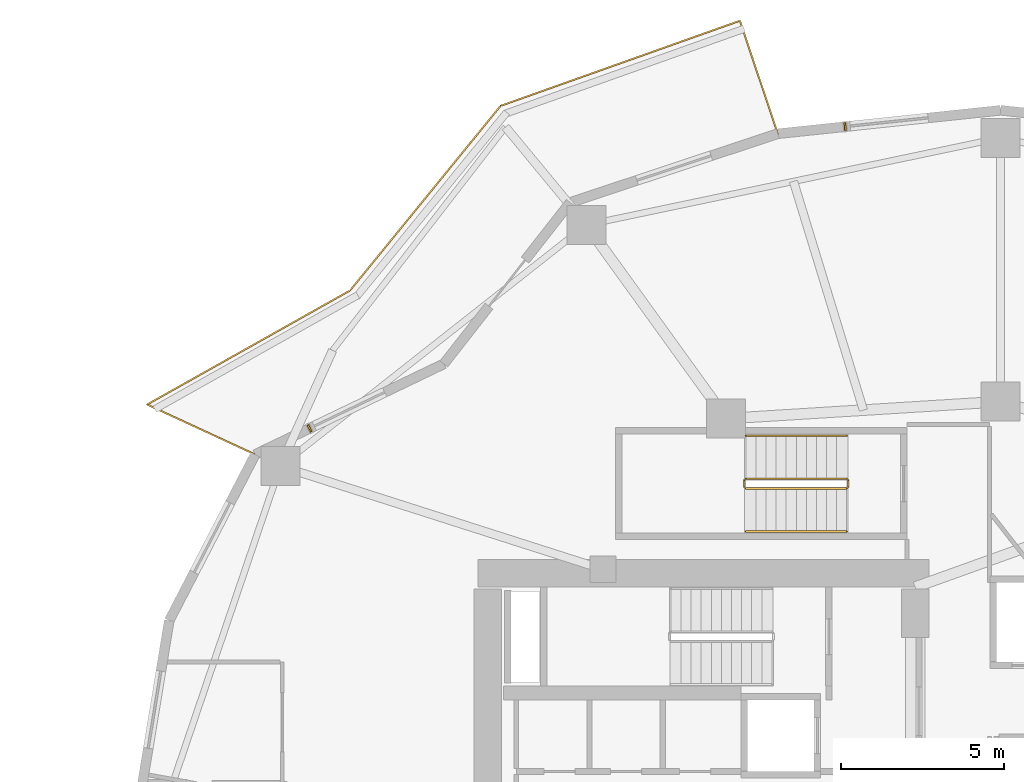
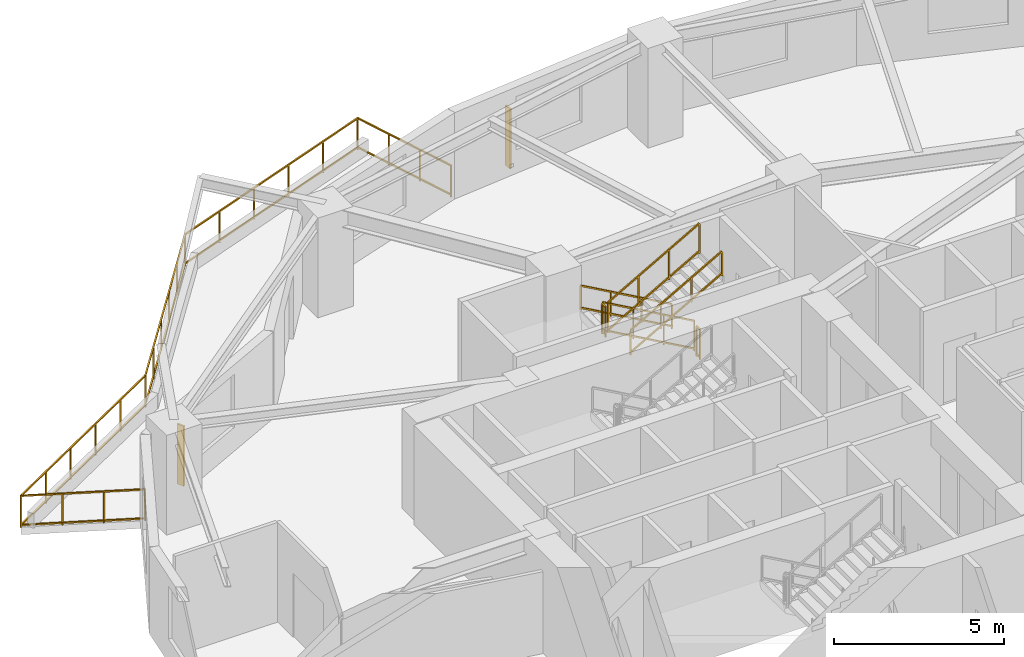
# One storey, part 15 of 16: 7 railings, 2 shading devices.
"""IFC4 building model written with IfcOpenShell, lengths in metres."""

from ifc_helpers import new_model, si_unit, direction, frame, origin, origin_2d, place, context, subcontext, project, spatial, rectangle, extrude, material, type_object, element, save


model = new_model("IFC4")

# Units and contexts
model_context = context("Model", 3, precision=1e-05, world=origin(), true_north=direction((0.0, 1.0)))
body_context = subcontext(model_context, "Body", "Model", "MODEL_VIEW")
ifc_project = project(units=[si_unit("LENGTHUNIT", "METRE"), si_unit("AREAUNIT", "SQUARE_METRE"), si_unit("VOLUMEUNIT", "CUBIC_METRE"), si_unit("PLANEANGLEUNIT", "RADIAN"), si_unit("MASSUNIT", "GRAM", prefix="KILO")], contexts=[model_context])

# Site, building, storey
site_placement = place(None, origin())
site = spatial("IfcSite", under=ifc_project, at=site_placement, CompositionType="ELEMENT")
building_placement = place(site_placement, origin())
building = spatial("IfcBuilding", under=site, at=building_placement, Name="Kolvaren Gate Tower and Convention Centre", CompositionType="ELEMENT")
storey_placement = place(building_placement, frame((0.0, 0.0, 65.0)))
storey = spatial("IfcBuildingStorey", under=building, at=storey_placement, Name="L15", CompositionType="ELEMENT", Elevation=65.0)

# Railings
ifc_material_1 = material(Name="Brushed Stainless Steel Grade 316L", Category="steel")
railing_type_1 = type_object("IfcRailingType", Name="ARCH-RL-GUARD-1150", PredefinedType="GUARDRAIL", material=ifc_material_1)
railing_1_placement = place(storey_placement, frame((25.39990234375, 36.830078125, 0.175048828125)))
element("IfcRailing", 1, at=railing_1_placement, inside=storey, type_object=railing_type_1, Name="L15 ST-T3 stair guard 1", PredefinedType="GUARDRAIL", context=body_context, shape_type="SweptSolid", body=[
    extrude(rectangle(XDim=0.048095703125, YDim=0.048095703125, at=origin_2d()), frame((0.0, 0.0, 1.076171875), z_axis=(-0.870814364268, 0.0, 0.491611984175), x_axis=(0.0, -1.0, 0.0)), (0.0, 0.0, 1.0), 3.559814453125),
    extrude(rectangle(XDim=0.048095703125, YDim=0.048095703125, at=origin_2d()), frame((0.0, 0.0, 0.083984375), z_axis=(-0.870814364268, 0.0, 0.491611984175), x_axis=(0.0, -1.0, 0.0)), (0.0, 0.0, 1.0), 3.559814453125),
    extrude(rectangle(XDim=0.0419921875, YDim=0.0419921875, at=origin_2d()), origin(), (0.0, 0.0, 1.0), 1.050048828125),
    extrude(rectangle(XDim=0.0419921875, YDim=0.0419921875, at=origin_2d()), frame((-3.099853515625, 0.0, 1.75)), (0.0, 0.0, 1.0), 1.050048828125),
    extrude(rectangle(XDim=0.0419921875, YDim=0.0419921875, at=origin_2d()), frame((-1.033203125, 0.0, 0.583251953125)), (0.0, 0.0, 1.0), 1.050048828125),
    extrude(rectangle(XDim=0.0419921875, YDim=0.0419921875, at=origin_2d()), frame((-2.066650390625, 0.0, 1.166748046875)), (0.0, 0.0, 1.0), 1.050048828125),
])
railing_2_placement = place(storey_placement, frame((22.25, 36.780029296875, 1.925048828125)))
element("IfcRailing", 2, at=railing_2_placement, inside=storey, type_object=railing_type_1, Name="L15 ST-T3 stair guard 2", PredefinedType="GUARDRAIL", context=body_context, shape_type="SweptSolid", body=[
    extrude(rectangle(XDim=0.048095703125, YDim=0.048095703125, at=origin_2d()), frame((0.0, 0.0, 1.076171875), z_axis=(0.0, -1.0, 0.0), x_axis=(1.0, 0.0, 0.0)), (0.0, 0.0, 1.0), 0.199951171875),
    extrude(rectangle(XDim=0.048095703125, YDim=0.048095703125, at=origin_2d()), frame((0.0, 0.0, 0.083984375), z_axis=(0.0, -1.0, 0.0), x_axis=(1.0, 0.0, 0.0)), (0.0, 0.0, 1.0), 0.199951171875),
    extrude(rectangle(XDim=0.0419921875, YDim=0.0419921875, at=origin_2d()), origin(), (0.0, 0.0, 1.0), 1.050048828125),
    extrude(rectangle(XDim=0.0419921875, YDim=0.0419921875, at=origin_2d()), frame((0.0, -0.199951171875, 0.0)), (0.0, 0.0, 1.0), 1.050048828125),
])
railing_3_placement = place(storey_placement, frame((22.300048828125, 36.530029296875, 2.10009765625)))
element("IfcRailing", 3, at=railing_3_placement, inside=storey, type_object=railing_type_1, Name="L15 ST-T3 stair guard 3", PredefinedType="GUARDRAIL", context=body_context, shape_type="SweptSolid", body=[
    extrude(rectangle(XDim=0.048095703125, YDim=0.048095703125, at=origin_2d()), frame((0.0, 0.0, 1.076171875), z_axis=(0.870814364268, 0.0, 0.491611984175), x_axis=(0.0, 1.0, 0.0)), (0.0, 0.0, 1.0), 3.559814453125),
    extrude(rectangle(XDim=0.048095703125, YDim=0.048095703125, at=origin_2d()), frame((0.0, 0.0, 0.083984375), z_axis=(0.870814364268, 0.0, 0.491611984175), x_axis=(0.0, 1.0, 0.0)), (0.0, 0.0, 1.0), 3.559814453125),
    extrude(rectangle(XDim=0.0419921875, YDim=0.0419921875, at=origin_2d()), origin(), (0.0, 0.0, 1.0), 1.050048828125),
    extrude(rectangle(XDim=0.0419921875, YDim=0.0419921875, at=origin_2d()), frame((3.099853515625, 0.0, 1.75)), (0.0, 0.0, 1.0), 1.050048828125),
    extrude(rectangle(XDim=0.0419921875, YDim=0.0419921875, at=origin_2d()), frame((1.033203125, 0.0, 0.583251953125)), (0.0, 0.0, 1.0), 1.050048828125),
    extrude(rectangle(XDim=0.0419921875, YDim=0.0419921875, at=origin_2d()), frame((2.066650390625, 0.0, 1.166748046875)), (0.0, 0.0, 1.0), 1.050048828125),
])
railing_4_placement = place(storey_placement, frame((25.449951171875, 36.780029296875, 0.0)))
element("IfcRailing", 4, at=railing_4_placement, inside=storey, type_object=railing_type_1, Name="L15 ST-T3 stair guard 4", PredefinedType="GUARDRAIL", context=body_context, shape_type="SweptSolid", body=[
    extrude(rectangle(XDim=0.048095703125, YDim=0.048095703125, at=origin_2d()), frame((0.0, 0.0, 1.076171875), z_axis=(0.0, -1.0, 0.0), x_axis=(1.0, 0.0, 0.0)), (0.0, 0.0, 1.0), 0.199951171875),
    extrude(rectangle(XDim=0.048095703125, YDim=0.048095703125, at=origin_2d()), frame((0.0, 0.0, 0.083984375), z_axis=(0.0, -1.0, 0.0), x_axis=(1.0, 0.0, 0.0)), (0.0, 0.0, 1.0), 0.199951171875),
    extrude(rectangle(XDim=0.0419921875, YDim=0.0419921875, at=origin_2d()), origin(), (0.0, 0.0, 1.0), 1.050048828125),
    extrude(rectangle(XDim=0.0419921875, YDim=0.0419921875, at=origin_2d()), frame((0.0, -0.199951171875, 0.0)), (0.0, 0.0, 1.0), 1.050048828125),
])
railing_5_placement = place(storey_placement, frame((23.282470703125, 47.42919921875, 0.0)))
element("IfcRailing", 5, at=railing_5_placement, inside=storey, type_object=railing_type_1, Name="Tower L15 Terrace Perimeter Guardrail GR-1", PredefinedType="GUARDRAIL", context=body_context, shape_type="SweptSolid", body=[
    extrude(rectangle(XDim=0.048095703125, YDim=0.048095703125, at=origin_2d()), frame((-0.0087890625, 0.026611328125, 1.1259765625), z_axis=(-0.317568160167, 0.94823544737, 0.0), x_axis=(-0.94823544737, -0.317568160167, 0.0)), (0.0, 0.0, 1.0), 3.60400390625),
    extrude(rectangle(XDim=0.048095703125, YDim=0.048095703125, at=origin_2d()), frame((-0.0087890625, 0.026611328125, 0.083984375), z_axis=(-0.317568160167, 0.94823544737, 0.0), x_axis=(-0.94823544737, -0.317568160167, 0.0)), (0.0, 0.0, 1.0), 3.60400390625),
    extrude(rectangle(XDim=0.048095703125, YDim=0.048095703125, at=origin_2d()), frame((-1.188720703125, 3.46142578125, 1.1259765625), z_axis=(-0.942200211781, -0.335050385643, 0.0), x_axis=(0.335050385643, -0.942200211781, 0.0)), (0.0, 0.0, 1.0), 7.7509765625),
    extrude(rectangle(XDim=0.048095703125, YDim=0.048095703125, at=origin_2d()), frame((-1.188720703125, 3.46142578125, 0.083984375), z_axis=(-0.942200211781, -0.335050385643, 0.0), x_axis=(0.335050385643, -0.942200211781, 0.0)), (0.0, 0.0, 1.0), 7.7509765625),
    extrude(rectangle(XDim=0.048095703125, YDim=0.048095703125, at=origin_2d()), frame((-8.535888671875, 0.833251953125, 1.1259765625), z_axis=(-0.631819273026, -0.775115737315, 0.0), x_axis=(0.775115737315, -0.631819273026, 0.0)), (0.0, 0.0, 1.0), 7.259765625),
    extrude(rectangle(XDim=0.048095703125, YDim=0.048095703125, at=origin_2d()), frame((-8.535888671875, 0.833251953125, 0.083984375), z_axis=(-0.631819273026, -0.775115737315, 0.0), x_axis=(0.775115737315, -0.631819273026, 0.0)), (0.0, 0.0, 1.0), 7.259765625),
    extrude(rectangle(XDim=0.048095703125, YDim=0.048095703125, at=origin_2d()), frame((-13.164794921875, -4.829345703125, 1.1259765625), z_axis=(-0.871783301661, -0.489891697159, 0.0), x_axis=(0.489891697159, -0.871783301661, 0.0)), (0.0, 0.0, 1.0), 7.096435546875),
    extrude(rectangle(XDim=0.048095703125, YDim=0.048095703125, at=origin_2d()), frame((-13.164794921875, -4.829345703125, 0.083984375), z_axis=(-0.871783301661, -0.489891697159, 0.0), x_axis=(0.489891697159, -0.871783301661, 0.0)), (0.0, 0.0, 1.0), 7.096435546875),
    extrude(rectangle(XDim=0.048095703125, YDim=0.048095703125, at=origin_2d()), frame((-19.350341796875, -8.331298828125, 1.1259765625), z_axis=(0.907846116663, -0.419303503993, 0.0), x_axis=(0.419303503993, 0.907846116663, 0.0)), (0.0, 0.0, 1.0), 3.60400390625),
    extrude(rectangle(XDim=0.048095703125, YDim=0.048095703125, at=origin_2d()), frame((-19.350341796875, -8.331298828125, 0.083984375), z_axis=(0.907846116663, -0.419303503993, 0.0), x_axis=(0.419303503993, 0.907846116663, 0.0)), (0.0, 0.0, 1.0), 3.60400390625),
    extrude(rectangle(XDim=0.0419921875, YDim=0.0419921875, at=origin_2d()), origin(), (0.0, 0.0, 1.0), 1.14990234375),
    extrude(rectangle(XDim=0.0419921875, YDim=0.0419921875, at=origin_2d()), frame((-1.162353515625, 3.470703125, 0.0)), (0.0, 0.0, 1.0), 1.14990234375),
    extrude(rectangle(XDim=0.0419921875, YDim=0.0419921875, at=origin_2d()), frame((-0.387451171875, 1.156982421875, 0.0)), (0.0, 0.0, 1.0), 1.099853515625),
    extrude(rectangle(XDim=0.0419921875, YDim=0.0419921875, at=origin_2d()), frame((-0.77490234375, 2.313720703125, 0.0)), (0.0, 0.0, 1.0), 1.099853515625),
    extrude(rectangle(XDim=0.0419921875, YDim=0.0419921875, at=origin_2d()), frame((-8.51806640625, 0.85498046875, 0.0)), (0.0, 0.0, 1.0), 1.14990234375),
    extrude(rectangle(XDim=0.0419921875, YDim=0.0419921875, at=origin_2d()), frame((-2.633544921875, 2.947509765625, 0.0)), (0.0, 0.0, 1.0), 1.099853515625),
    extrude(rectangle(XDim=0.0419921875, YDim=0.0419921875, at=origin_2d()), frame((-4.104736328125, 2.42431640625, 0.0)), (0.0, 0.0, 1.0), 1.099853515625),
    extrude(rectangle(XDim=0.0419921875, YDim=0.0419921875, at=origin_2d()), frame((-5.57568359375, 1.9013671875, 0.0)), (0.0, 0.0, 1.0), 1.099853515625),
    extrude(rectangle(XDim=0.0419921875, YDim=0.0419921875, at=origin_2d()), frame((-7.046875, 1.378173828125, 0.0)), (0.0, 0.0, 1.0), 1.099853515625),
    extrude(rectangle(XDim=0.0419921875, YDim=0.0419921875, at=origin_2d()), frame((-13.140380859375, -4.815673828125, 0.0)), (0.0, 0.0, 1.0), 1.14990234375),
    extrude(rectangle(XDim=0.0419921875, YDim=0.0419921875, at=origin_2d()), frame((-9.442626953125, -0.279052734375, 0.0)), (0.0, 0.0, 1.0), 1.099853515625),
    extrude(rectangle(XDim=0.0419921875, YDim=0.0419921875, at=origin_2d()), frame((-10.366943359375, -1.413330078125, 0.0)), (0.0, 0.0, 1.0), 1.099853515625),
    extrude(rectangle(XDim=0.0419921875, YDim=0.0419921875, at=origin_2d()), frame((-11.29150390625, -2.54736328125, 0.0)), (0.0, 0.0, 1.0), 1.099853515625),
    extrude(rectangle(XDim=0.0419921875, YDim=0.0419921875, at=origin_2d()), frame((-12.2158203125, -3.681640625, 0.0)), (0.0, 0.0, 1.0), 1.099853515625),
    extrude(rectangle(XDim=0.0419921875, YDim=0.0419921875, at=origin_2d()), frame((-19.375732421875, -8.319580078125, 0.0)), (0.0, 0.0, 1.0), 1.14990234375),
    extrude(rectangle(XDim=0.0419921875, YDim=0.0419921875, at=origin_2d()), frame((-14.387451171875, -5.516357421875, 0.0)), (0.0, 0.0, 1.0), 1.099853515625),
    extrude(rectangle(XDim=0.0419921875, YDim=0.0419921875, at=origin_2d()), frame((-15.634521484375, -6.21728515625, 0.0)), (0.0, 0.0, 1.0), 1.099853515625),
    extrude(rectangle(XDim=0.0419921875, YDim=0.0419921875, at=origin_2d()), frame((-16.881591796875, -6.91796875, 0.0)), (0.0, 0.0, 1.0), 1.099853515625),
    extrude(rectangle(XDim=0.0419921875, YDim=0.0419921875, at=origin_2d()), frame((-18.128662109375, -7.618896484375, 0.0)), (0.0, 0.0, 1.0), 1.099853515625),
    extrude(rectangle(XDim=0.0419921875, YDim=0.0419921875, at=origin_2d()), frame((-16.052978515625, -9.854248046875, 0.0)), (0.0, 0.0, 1.0), 1.14990234375),
    extrude(rectangle(XDim=0.0419921875, YDim=0.0419921875, at=origin_2d()), frame((-18.26806640625, -8.8310546875, 0.0)), (0.0, 0.0, 1.0), 1.099853515625),
    extrude(rectangle(XDim=0.0419921875, YDim=0.0419921875, at=origin_2d()), frame((-17.16064453125, -9.3427734375, 0.0)), (0.0, 0.0, 1.0), 1.099853515625),
])
railing_type_2 = type_object("IfcRailingType", Name="ARCH-RL-HANDRAIL-920", PredefinedType="HANDRAIL", material=ifc_material_1)
railing_6_placement = place(storey_placement, frame((25.39990234375, 38.14990234375, 0.175048828125)))
element("IfcRailing", 6, at=railing_6_placement, inside=storey, type_object=railing_type_2, Name="L15 ST-T3 stair handrail 1", PredefinedType="HANDRAIL", context=body_context, shape_type="SweptSolid", body=[
    extrude(rectangle(XDim=0.048095703125, YDim=0.048095703125, at=origin_2d()), frame((0.0, 0.0, 0.8759765625), z_axis=(-0.870814364268, 0.0, 0.491611984175), x_axis=(0.0, -1.0, 0.0)), (0.0, 0.0, 1.0), 3.559814453125),
    extrude(rectangle(XDim=0.048095703125, YDim=0.048095703125, at=origin_2d()), frame((0.0, 0.0, 0.083984375), z_axis=(-0.870814364268, 0.0, 0.491611984175), x_axis=(0.0, -1.0, 0.0)), (0.0, 0.0, 1.0), 3.559814453125),
    extrude(rectangle(XDim=0.0419921875, YDim=0.0419921875, at=origin_2d()), origin(), (0.0, 0.0, 1.0), 0.849853515625),
    extrude(rectangle(XDim=0.0419921875, YDim=0.0419921875, at=origin_2d()), frame((-3.099853515625, 0.0, 1.75)), (0.0, 0.0, 1.0), 0.849853515625),
    extrude(rectangle(XDim=0.0419921875, YDim=0.0419921875, at=origin_2d()), frame((-1.033203125, 0.0, 0.583251953125)), (0.0, 0.0, 1.0), 0.849853515625),
    extrude(rectangle(XDim=0.0419921875, YDim=0.0419921875, at=origin_2d()), frame((-2.066650390625, 0.0, 1.166748046875)), (0.0, 0.0, 1.0), 0.849853515625),
])
railing_7_placement = place(storey_placement, frame((22.300048828125, 35.2099609375, 2.10009765625)))
element("IfcRailing", 7, at=railing_7_placement, inside=storey, type_object=railing_type_2, Name="L15 ST-T3 stair handrail 2", PredefinedType="HANDRAIL", context=body_context, shape_type="SweptSolid", body=[
    extrude(rectangle(XDim=0.048095703125, YDim=0.048095703125, at=origin_2d()), frame((0.0, 0.0, 0.8759765625), z_axis=(0.870814364268, 0.0, 0.491611984175), x_axis=(0.0, 1.0, 0.0)), (0.0, 0.0, 1.0), 3.559814453125),
    extrude(rectangle(XDim=0.048095703125, YDim=0.048095703125, at=origin_2d()), frame((0.0, 0.0, 0.083984375), z_axis=(0.870814364268, 0.0, 0.491611984175), x_axis=(0.0, 1.0, 0.0)), (0.0, 0.0, 1.0), 3.559814453125),
    extrude(rectangle(XDim=0.0419921875, YDim=0.0419921875, at=origin_2d()), origin(), (0.0, 0.0, 1.0), 0.849853515625),
    extrude(rectangle(XDim=0.0419921875, YDim=0.0419921875, at=origin_2d()), frame((3.099853515625, 0.0, 1.75)), (0.0, 0.0, 1.0), 0.849853515625),
    extrude(rectangle(XDim=0.0419921875, YDim=0.0419921875, at=origin_2d()), frame((1.033203125, 0.0, 0.583251953125)), (0.0, 0.0, 1.0), 0.849853515625),
    extrude(rectangle(XDim=0.0419921875, YDim=0.0419921875, at=origin_2d()), frame((2.066650390625, 0.0, 1.166748046875)), (0.0, 0.0, 1.0), 0.849853515625),
])

# Shading devices
ifc_material_2 = material(Name="Kiln-Fired Bogota Terracotta Ceramic Louvre Profile", Category="masonry")
shading_device_type = type_object("IfcShadingDeviceType", Name="ARCH-SHD-FIN-180", PredefinedType="JALOUSIE", material=ifc_material_2)
for number, where, z_axis, x_axis, name in (
    (8, (25.35107421875, 47.647216796875, 0.219970703125), (0.0, 0.0, 1.0), (0.994498884311, 0.104747167526, 0.0), "Ceramic Vertical Brise-Soleil Fin FN-L15-06"),
    (9, (8.901611328125, 38.37841796875, 0.219970703125), (0.0, 0.0, 1.0), (0.901357634097, 0.433075530889, 0.0), "Ceramic Vertical Brise-Soleil Fin FN-L15-09"),
):
    element("IfcShadingDevice", number, at=place(storey_placement, frame(where, z_axis=z_axis, x_axis=x_axis)), inside=storey, type_object=shading_device_type, Name=name, PredefinedType="JALOUSIE", context=body_context, shape_type="SweptSolid", body=[
        extrude(rectangle(XDim=0.06005859375, YDim=0.239990234375, at=origin_2d()), origin(), (0.0, 0.0, 1.0), 2.14990234375),
    ])

save(model, "model.ifc")
